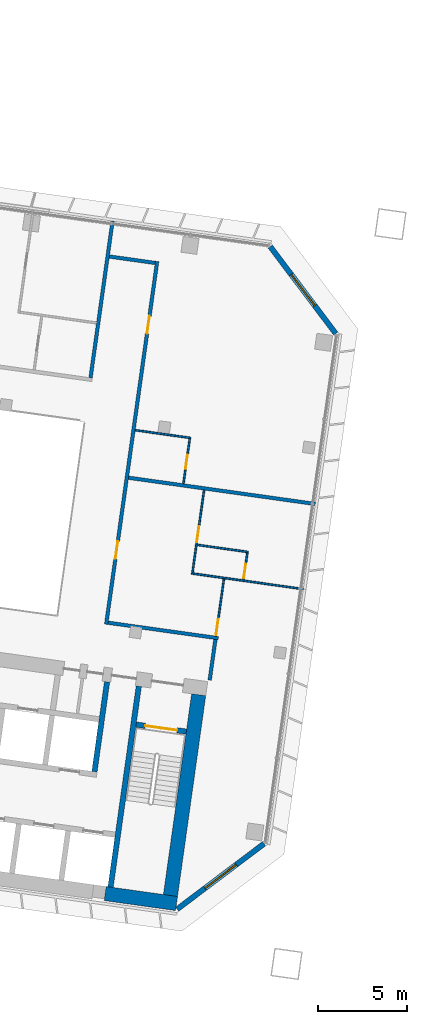
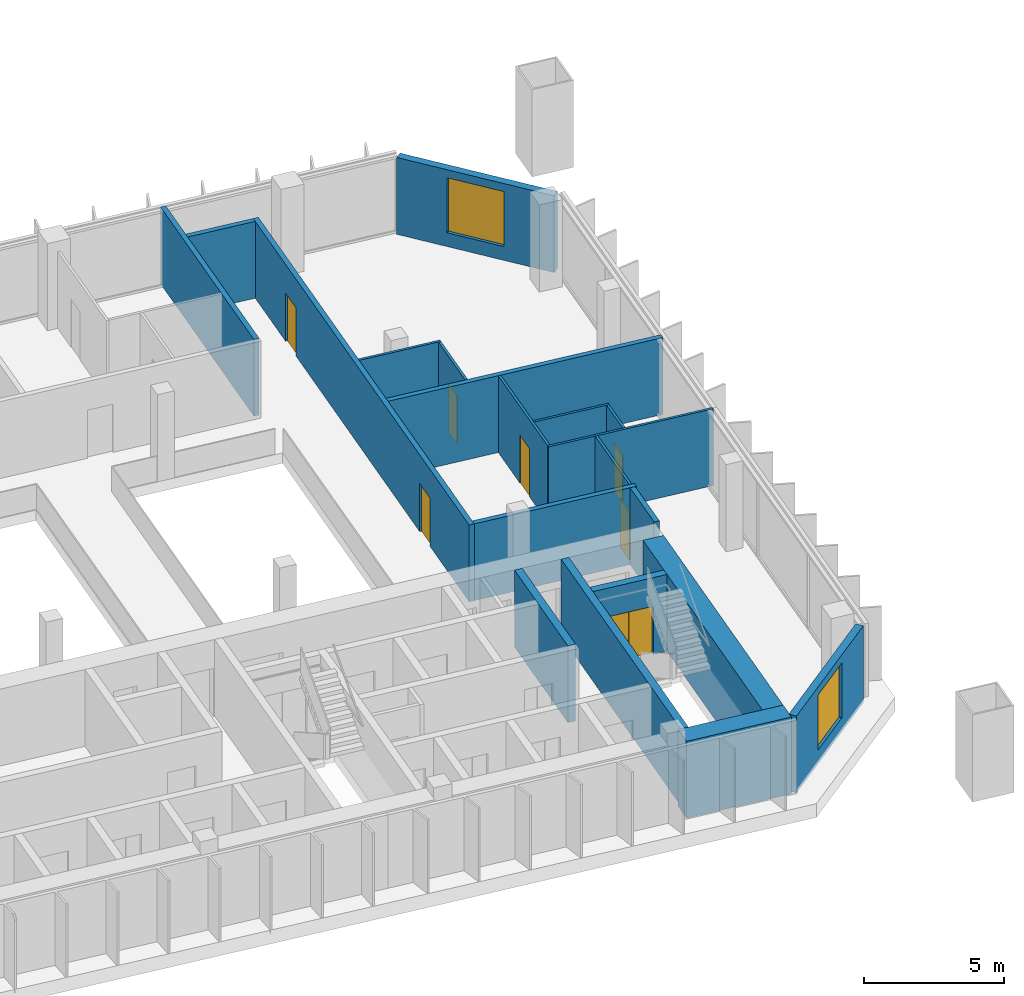
# One storey, part 17 of 25: 20 walls, 7 doors, 2 windows, 9 openings.
"""IFC4 building model written with IfcOpenShell, lengths in metres."""

from ifc_helpers import new_model, si_unit, direction, frame, frame_2d, origin, place, context, subcontext, project, spatial, rectangle, extrude, material, layer, layer_set, type_object, element, fill, save


model = new_model("IFC4")

# Units and contexts
model_context = context("Model", 3, precision=1e-05, world=origin(), true_north=direction((0.0, 1.0)))
body_context = subcontext(model_context, "Body", "Model", "MODEL_VIEW")
ifc_project = project(units=[si_unit("LENGTHUNIT", "METRE"), si_unit("AREAUNIT", "SQUARE_METRE"), si_unit("VOLUMEUNIT", "CUBIC_METRE"), si_unit("PLANEANGLEUNIT", "RADIAN"), si_unit("MASSUNIT", "GRAM", prefix="KILO")], contexts=[model_context])

# Site, building, storey
site_placement = place(None, origin())
site = spatial("IfcSite", under=ifc_project, at=site_placement, CompositionType="ELEMENT")
building_placement = place(site_placement, origin())
building = spatial("IfcBuilding", under=site, at=building_placement, Name="Mirante Cascada Hotel Towers", CompositionType="ELEMENT")
storey_placement = place(building_placement, frame((0.0, 0.0, 136.7)))
storey = spatial("IfcBuildingStorey", under=building, at=storey_placement, Name="L31", CompositionType="ELEMENT", Elevation=136.7)

# Walls
ifc_material_1 = material(Name="Fire-rated plasterboard on metal studs")
ifc_layer_1 = layer(ifc_material_1, 0.2)
ifc_layer_set_1 = layer_set([ifc_layer_1], Name="Compartment wall 200 EI 120")
wall_type_1 = type_object("IfcWallType", Name="Compartment wall 200 EI 120", PredefinedType="PARTITIONING", material=ifc_layer_set_1)
wall_1_placement = place(storey_placement, frame((-40.97, -3.8917, 0.0), z_axis=(0.0, 0.0, 1.0), x_axis=(0.9902685, -0.1391698, 0.0)))
element("IfcWall", 1, at=wall_1_placement, inside=storey, type_object=wall_type_1, Name="Wall 1-L31-03", PredefinedType="PARTITIONING", context=body_context, shape_type="SweptSolid", body=[
    extrude(rectangle(XDim=6.2499, YDim=0.2, at=frame_2d((3.125, 0.0))), origin(), (0.0, 0.0, 1.0), 3.35),
])
wall_2_placement = place(storey_placement, frame((-39.8242, 4.2615, 0.0), z_axis=(0.0, 0.0, 1.0), x_axis=(0.9902686, -0.1391691, 0.0)))
element("IfcWall", 2, at=wall_2_placement, inside=storey, type_object=wall_type_1, Name="Wall 1-L31-09", PredefinedType="PARTITIONING", context=body_context, shape_type="SweptSolid", body=[
    extrude(rectangle(XDim=10.6001, YDim=0.2, at=frame_2d((5.3, 0.0))), origin(), (0.0, 0.0, 1.0), 3.35),
])
wall_3_placement = place(storey_placement, frame((-38.329, 16.3376, 0.0), z_axis=(0.0, 0.0, 1.0), x_axis=(-0.9902647, 0.1391971, 0.0)))
element("IfcWall", 3, at=wall_3_placement, inside=storey, type_object=wall_type_1, Name="Wall 1-L31-20", PredefinedType="PARTITIONING", context=body_context, shape_type="SweptSolid", body=[
    extrude(rectangle(XDim=2.5999, YDim=0.2, at=frame_2d((1.3, 0.0))), origin(), (0.0, 0.0, 1.0), 3.35),
])
wall_4_placement = place(storey_placement, frame((-34.9433, -4.8397, 0.0), z_axis=(0.0, 0.0, 1.0), x_axis=(-0.1391749, -0.9902678, 0.0)))
element("IfcWall", 4, at=wall_4_placement, inside=storey, type_object=wall_type_1, Name="Wall 1-L31-23", PredefinedType="PARTITIONING", context=body_context, shape_type="SweptSolid", body=[
    extrude(rectangle(XDim=2.3, YDim=0.2, at=frame_2d((1.15, 0.0))), origin(), (0.0, 0.0, 1.0), 3.35),
])

# Wall, openings, doors
wall_5_placement = place(storey_placement, frame((-38.216, 16.4227, 0.0), z_axis=(0.0, 0.0, 1.0), x_axis=(-0.1391749, -0.9902678, 0.0)))
wall_5 = element("IfcWall", 5, at=wall_5_placement, inside=storey, type_object=wall_type_1, Name="Wall 1-L31-27", PredefinedType="PARTITIONING", context=body_context, shape_type="SweptSolid", body=[
    extrude(rectangle(XDim=20.6, YDim=0.2, at=frame_2d((10.3, 0.0))), origin(), (0.0, 0.0, 1.0), 3.35),
])
opening_1_placement = place(wall_5_placement, frame((15.8834, 0.0, 0.0)))
opening_1 = element("IfcOpeningElement", 6, at=opening_1_placement, cuts=wall_5, Name="Opening D1-L31-22", PredefinedType="OPENING", context=body_context, shape_type="SweptSolid", body=[
    extrude(rectangle(XDim=1.0, YDim=2.1, at=frame_2d((0.5, 1.05))), frame((0.0, 0.1, 0.0), z_axis=(0.0, -1.0, 0.0), x_axis=(1.0, 0.0, 0.0)), (0.0, 0.0, 1.0), 0.2),
])
opening_2_placement = place(wall_5_placement, frame((3.1, 0.0, 0.0)))
opening_2 = element("IfcOpeningElement", 7, at=opening_2_placement, cuts=wall_5, Name="Opening D1-L31-23", PredefinedType="OPENING", context=body_context, shape_type="SweptSolid", body=[
    extrude(rectangle(XDim=1.0, YDim=2.1, at=frame_2d((0.5, 1.05))), frame((0.0, 0.1, 0.0), z_axis=(0.0, -1.0, 0.0), x_axis=(1.0, 0.0, 0.0)), (0.0, 0.0, 1.0), 0.2),
])
ifc_material_2 = material(Name="Fire-rated timber door leaf", Category="wood")
door_type_1 = type_object("IfcDoorType", Name="Entrance door DG1 1000x2100 EI 60", OperationType="SINGLE_SWING_LEFT", PredefinedType="DOOR", material=ifc_material_2)
door_1_placement = place(opening_1_placement, origin())
door_1 = element("IfcDoor", 8, at=door_1_placement, inside=storey, type_object=door_type_1, Name="Door D1-L31-22", OperationType="SINGLE_SWING_LEFT", OverallHeight=2.1, OverallWidth=1.0, PredefinedType="DOOR", context=body_context, shape_type="SweptSolid", body=[
    extrude(rectangle(XDim=1.0, YDim=2.1, at=frame_2d((0.5, 1.05))), frame((0.0, 0.025, 0.0), z_axis=(0.0, -1.0, 0.0), x_axis=(1.0, 0.0, 0.0)), (0.0, 0.0, 1.0), 0.05),
])
fill(opening_1, door_1)
door_2_placement = place(opening_2_placement, origin())
door_2 = element("IfcDoor", 9, at=door_2_placement, inside=storey, type_object=door_type_1, Name="Door D1-L31-23", OperationType="SINGLE_SWING_LEFT", OverallHeight=2.1, OverallWidth=1.0, PredefinedType="DOOR", context=body_context, shape_type="SweptSolid", body=[
    extrude(rectangle(XDim=1.0, YDim=2.1, at=frame_2d((0.5, 1.05))), frame((0.0, 0.025, 0.0), z_axis=(0.0, -1.0, 0.0), x_axis=(1.0, 0.0, 0.0)), (0.0, 0.0, 1.0), 0.05),
])
fill(opening_2, door_2)

# Walls
wall_6_placement = place(storey_placement, frame((-41.963, 9.8805, 0.0), z_axis=(0.0, 0.0, 1.0), x_axis=(0.1391794, 0.9902672, 0.0)))
element("IfcWall", 10, at=wall_6_placement, inside=storey, type_object=wall_type_1, Name="Wall 1-L31-28", PredefinedType="PARTITIONING", context=body_context, shape_type="SweptSolid", body=[
    extrude(rectangle(XDim=8.9, YDim=0.2, at=frame_2d((4.45, 0.0))), origin(), (0.0, 0.0, 1.0), 3.35),
])
ifc_material_3 = material(Name="Plasterboard on metal studs")
ifc_layer_2 = layer(ifc_material_3, 0.1)
ifc_layer_set_2 = layer_set([ifc_layer_2], Name="Partition 100")
wall_type_2 = type_object("IfcWallType", Name="Partition 100", PredefinedType="PARTITIONING", material=ifc_layer_set_2)
wall_7_placement = place(storey_placement, frame((-30.0, -2.0, 0.0), z_axis=(0.0, 0.0, 1.0), x_axis=(-0.9902691, 0.1391656, 0.0)))
element("IfcWall", 11, at=wall_7_placement, inside=storey, type_object=wall_type_2, Name="Wall 1-L31-04", PredefinedType="PARTITIONING", context=body_context, shape_type="SweptSolid", body=[
    extrude(rectangle(XDim=6.35, YDim=0.1, at=frame_2d((3.175, 0.0))), origin(), (0.0, 0.0, 1.0), 3.35),
])
wall_8_placement = place(storey_placement, frame((-33.0901, 0.0836, 0.0), z_axis=(0.0, 0.0, 1.0), x_axis=(-0.9902683, 0.1391714, 0.0)))
element("IfcWall", 12, at=wall_8_placement, inside=storey, type_object=wall_type_2, Name="Wall 1-L31-06", PredefinedType="PARTITIONING", context=body_context, shape_type="SweptSolid", body=[
    extrude(rectangle(XDim=2.9, YDim=0.1, at=frame_2d((1.45, 0.0))), origin(), (0.0, 0.0, 1.0), 3.35),
])
wall_9_placement = place(storey_placement, frame((-39.4484, 6.9352, 0.0), z_axis=(0.0, 0.0, 1.0), x_axis=(0.9902676, -0.1391765, 0.0)))
element("IfcWall", 13, at=wall_9_placement, inside=storey, type_object=wall_type_2, Name="Wall 1-L31-11", PredefinedType="PARTITIONING", context=body_context, shape_type="SweptSolid", body=[
    extrude(rectangle(XDim=3.15, YDim=0.1, at=frame_2d((1.575, 0.0))), origin(), (0.0, 0.0, 1.0), 3.35),
])

# Wall, opening, door
wall_10_placement = place(storey_placement, frame((-33.36, -1.4773, 0.0), z_axis=(0.0, 0.0, 1.0), x_axis=(0.1391749, 0.9902678, 0.0)))
wall_10 = element("IfcWall", 14, at=wall_10_placement, inside=storey, type_object=wall_type_2, Name="Wall 1-L31-22", PredefinedType="PARTITIONING", context=body_context, shape_type="SweptSolid", body=[
    extrude(rectangle(XDim=1.5333, YDim=0.1, at=frame_2d((0.7667, 0.0))), origin(), (0.0, 0.0, 1.0), 3.35),
])
opening_3_placement = place(wall_10_placement, frame((0.1, 0.0, 0.0)))
opening_3 = element("IfcOpeningElement", 15, at=opening_3_placement, cuts=wall_10, Name="Opening D1-L31-18", PredefinedType="OPENING", context=body_context, shape_type="SweptSolid", body=[
    extrude(rectangle(XDim=0.8, YDim=2.1, at=frame_2d((0.4, 1.05))), frame((0.0, 0.05, 0.0), z_axis=(0.0, -1.0, 0.0), x_axis=(1.0, 0.0, 0.0)), (0.0, 0.0, 1.0), 0.1),
])
ifc_material_4 = material(Name="Timber door leaf", Category="wood")
door_type_2 = type_object("IfcDoorType", Name="Bathroom door DG4 800x2100", OperationType="SINGLE_SWING_LEFT", PredefinedType="DOOR", material=ifc_material_4)
door_3_placement = place(opening_3_placement, frame((0.8, 0.0, 0.0), z_axis=(0.0, 0.0, 1.0), x_axis=(-1.0, 0.0, 0.0)))
door_3 = element("IfcDoor", 16, at=door_3_placement, inside=storey, type_object=door_type_2, Name="Door D1-L31-18", OperationType="SINGLE_SWING_RIGHT", OverallHeight=2.1, OverallWidth=0.8, PredefinedType="DOOR", context=body_context, shape_type="SweptSolid", body=[
    extrude(rectangle(XDim=0.8, YDim=2.1, at=frame_2d((0.4, 1.05))), frame((0.0, 0.025, 0.0), z_axis=(0.0, -1.0, 0.0), x_axis=(1.0, 0.0, 0.0)), (0.0, 0.0, 1.0), 0.05),
])
fill(opening_3, door_3)

wall_11_placement = place(storey_placement, frame((-34.9155, -4.6416, 0.0), z_axis=(0.0, 0.0, 1.0), x_axis=(0.1391681, 0.9902688, 0.0)))
wall_11 = element("IfcWall", 17, at=wall_11_placement, inside=storey, type_object=wall_type_2, Name="Wall 1-L31-24", PredefinedType="PARTITIONING", context=body_context, shape_type="SweptSolid", body=[
    extrude(rectangle(XDim=3.25, YDim=0.1, at=frame_2d((1.625, 0.0))), origin(), (0.0, 0.0, 1.0), 3.35),
])
opening_4_placement = place(wall_11_placement, frame((0.05, 0.0, 0.0)))
opening_4 = element("IfcOpeningElement", 18, at=opening_4_placement, cuts=wall_11, Name="Opening D1-L31-19", PredefinedType="OPENING", context=body_context, shape_type="SweptSolid", body=[
    extrude(rectangle(XDim=0.9, YDim=2.1, at=frame_2d((0.45, 1.05))), frame((0.0, 0.05, 0.0), z_axis=(0.0, -1.0, 0.0), x_axis=(1.0, 0.0, 0.0)), (0.0, 0.0, 1.0), 0.1),
])
ifc_material_5 = material(Name="Timber door leaf", Category="wood")
door_type_3 = type_object("IfcDoorType", Name="Room door DG3 900x2100", OperationType="SINGLE_SWING_LEFT", PredefinedType="DOOR", material=ifc_material_5)
door_4_placement = place(opening_4_placement, frame((0.9, 0.0, 0.0), z_axis=(0.0, 0.0, 1.0), x_axis=(-1.0, 0.0, 0.0)))
door_4 = element("IfcDoor", 19, at=door_4_placement, inside=storey, type_object=door_type_3, Name="Door D1-L31-19", OperationType="SINGLE_SWING_RIGHT", OverallHeight=2.1, OverallWidth=0.9, PredefinedType="DOOR", context=body_context, shape_type="SweptSolid", body=[
    extrude(rectangle(XDim=0.9, YDim=2.1, at=frame_2d((0.45, 1.05))), frame((0.0, 0.025, 0.0), z_axis=(0.0, -1.0, 0.0), x_axis=(1.0, 0.0, 0.0)), (0.0, 0.0, 1.0), 0.05),
])
fill(opening_4, door_4)

wall_12_placement = place(storey_placement, frame((-35.5799, 3.564, 0.0), z_axis=(0.0, 0.0, 1.0), x_axis=(-0.139176, -0.9902677, 0.0)))
wall_12 = element("IfcWall", 20, at=wall_12_placement, inside=storey, type_object=wall_type_2, Name="Wall 1-L31-25", PredefinedType="PARTITIONING", context=body_context, shape_type="SweptSolid", body=[
    extrude(rectangle(XDim=4.6833, YDim=0.1, at=frame_2d((2.3416, 0.0))), origin(), (0.0, 0.0, 1.0), 3.35),
])
opening_5_placement = place(wall_12_placement, frame((2.05, 0.0, 0.0)))
opening_5 = element("IfcOpeningElement", 21, at=opening_5_placement, cuts=wall_12, Name="Opening D1-L31-20", PredefinedType="OPENING", context=body_context, shape_type="SweptSolid", body=[
    extrude(rectangle(XDim=0.9, YDim=2.1, at=frame_2d((0.45, 1.05))), frame((0.0, 0.05, 0.0), z_axis=(0.0, -1.0, 0.0), x_axis=(1.0, 0.0, 0.0)), (0.0, 0.0, 1.0), 0.1),
])
door_5_placement = place(opening_5_placement, frame((0.9, 0.0, 0.0), z_axis=(0.0, 0.0, 1.0), x_axis=(-1.0, 0.0, 0.0)))
door_5 = element("IfcDoor", 22, at=door_5_placement, inside=storey, type_object=door_type_3, Name="Door D1-L31-20", OperationType="SINGLE_SWING_RIGHT", OverallHeight=2.1, OverallWidth=0.9, PredefinedType="DOOR", context=body_context, shape_type="SweptSolid", body=[
    extrude(rectangle(XDim=0.9, YDim=2.1, at=frame_2d((0.45, 1.05))), frame((0.0, 0.025, 0.0), z_axis=(0.0, -1.0, 0.0), x_axis=(1.0, 0.0, 0.0)), (0.0, 0.0, 1.0), 0.05),
])
fill(opening_5, door_5)

wall_13_placement = place(storey_placement, frame((-36.7404, 3.9291, 0.0), z_axis=(0.0, 0.0, 1.0), x_axis=(0.1391755, 0.9902677, 0.0)))
wall_13 = element("IfcWall", 23, at=wall_13_placement, inside=storey, type_object=wall_type_2, Name="Wall 1-L31-26", PredefinedType="PARTITIONING", context=body_context, shape_type="SweptSolid", body=[
    extrude(rectangle(XDim=2.55, YDim=0.1, at=frame_2d((1.275, 0.0))), origin(), (0.0, 0.0, 1.0), 3.35),
])
opening_6_placement = place(wall_13_placement, frame((0.85, 0.0, 0.0)))
opening_6 = element("IfcOpeningElement", 24, at=opening_6_placement, cuts=wall_13, Name="Opening D1-L31-21", PredefinedType="OPENING", context=body_context, shape_type="SweptSolid", body=[
    extrude(rectangle(XDim=0.8, YDim=2.1, at=frame_2d((0.4, 1.05))), frame((0.0, 0.05, 0.0), z_axis=(0.0, -1.0, 0.0), x_axis=(1.0, 0.0, 0.0)), (0.0, 0.0, 1.0), 0.1),
])
door_6_placement = place(opening_6_placement, frame((0.8, 0.0, 0.0), z_axis=(0.0, 0.0, 1.0), x_axis=(-1.0, 0.0, 0.0)))
door_6 = element("IfcDoor", 25, at=door_6_placement, inside=storey, type_object=door_type_2, Name="Door D1-L31-21", OperationType="SINGLE_SWING_RIGHT", OverallHeight=2.1, OverallWidth=0.8, PredefinedType="DOOR", context=body_context, shape_type="SweptSolid", body=[
    extrude(rectangle(XDim=0.8, YDim=2.1, at=frame_2d((0.4, 1.05))), frame((0.0, 0.025, 0.0), z_axis=(0.0, -1.0, 0.0), x_axis=(1.0, 0.0, 0.0)), (0.0, 0.0, 1.0), 0.05),
])
fill(opening_6, door_6)

# Wall, opening, window
ifc_material_6 = material(Name="Precast concrete C40/50", Category="concrete")
ifc_layer_3 = layer(ifc_material_6, 0.3)
ifc_layer_set_3 = layer_set([ifc_layer_3], Name="Precast concrete C40/50 cladding wall 300")
wall_type_3 = type_object("IfcWallType", Name="Precast concrete C40/50 cladding wall 300", PredefinedType="STANDARD", material=ifc_layer_set_3)
wall_14_placement = place(storey_placement, frame((-31.857, 17.252, 0.0), z_axis=(0.0, 0.0, 1.0), x_axis=(0.6018141, -0.7986362, 0.0)))
wall_14 = element("IfcWall", 26, at=wall_14_placement, inside=storey, type_object=wall_type_3, Name="Corner cladding wall T1 L31 front inner", PredefinedType="STANDARD", context=body_context, shape_type="SweptSolid", body=[
    extrude(rectangle(XDim=6.1157, YDim=0.3, at=frame_2d((3.0578, 0.0))), origin(), (0.0, 0.0, 1.0), 3.35),
])
opening_7_placement = place(wall_14_placement, frame((1.9578, 0.0, 0.6)))
opening_7 = element("IfcOpeningElement", 27, at=opening_7_placement, cuts=wall_14, Name="Opening W1-31-05", PredefinedType="OPENING", context=body_context, shape_type="SweptSolid", body=[
    extrude(rectangle(XDim=2.2, YDim=2.4, at=frame_2d((1.1, 1.2))), frame((0.0, 0.15, 0.0), z_axis=(0.0, -1.0, 0.0), x_axis=(1.0, 0.0, 0.0)), (0.0, 0.0, 1.0), 0.3),
])
ifc_material_7 = material(Name="Aluminium frame with clear double glazing", Category="aluminium")
window_type = type_object("IfcWindowType", Name="Corner suite window 2200x2400", PartitioningType="DOUBLE_PANEL_VERTICAL", PredefinedType="WINDOW", material=ifc_material_7)
window_1_placement = place(opening_7_placement, origin())
window_1 = element("IfcWindow", 28, at=window_1_placement, inside=storey, type_object=window_type, Name="Window W1-31-05", OverallHeight=2.4, OverallWidth=2.2, PartitioningType="SINGLE_PANEL", PredefinedType="WINDOW", context=body_context, shape_type="SweptSolid", body=[
    extrude(rectangle(XDim=2.2, YDim=2.4, at=frame_2d((1.1, 1.2))), frame((0.0, 0.03, 0.0), z_axis=(0.0, -1.0, 0.0), x_axis=(1.0, 0.0, 0.0)), (0.0, 0.0, 1.0), 0.06),
])
fill(opening_7, window_1)

wall_15_placement = place(storey_placement, frame((-32.2074, -16.3138, 0.0), z_axis=(0.0, 0.0, 1.0), x_axis=(-0.7986362, -0.6018141, 0.0)))
wall_15 = element("IfcWall", 29, at=wall_15_placement, inside=storey, type_object=wall_type_3, Name="Corner cladding wall T1 L31 inner rear", PredefinedType="STANDARD", context=body_context, shape_type="SweptSolid", body=[
    extrude(rectangle(XDim=6.1157, YDim=0.3, at=frame_2d((3.0578, 0.0))), origin(), (0.0, 0.0, 1.0), 3.35),
])
opening_8_placement = place(wall_15_placement, frame((1.9578, 0.0, 0.6)))
opening_8 = element("IfcOpeningElement", 30, at=opening_8_placement, cuts=wall_15, Name="Opening W1-31-06", PredefinedType="OPENING", context=body_context, shape_type="SweptSolid", body=[
    extrude(rectangle(XDim=2.2, YDim=2.4, at=frame_2d((1.1, 1.2))), frame((0.0, 0.15, 0.0), z_axis=(0.0, -1.0, 0.0), x_axis=(1.0, 0.0, 0.0)), (0.0, 0.0, 1.0), 0.3),
])
window_2_placement = place(opening_8_placement, origin())
window_2 = element("IfcWindow", 31, at=window_2_placement, inside=storey, type_object=window_type, Name="Window W1-31-06", OverallHeight=2.4, OverallWidth=2.2, PartitioningType="SINGLE_PANEL", PredefinedType="WINDOW", context=body_context, shape_type="SweptSolid", body=[
    extrude(rectangle(XDim=2.2, YDim=2.4, at=frame_2d((1.1, 1.2))), frame((0.0, 0.03, 0.0), z_axis=(0.0, -1.0, 0.0), x_axis=(1.0, 0.0, 0.0)), (0.0, 0.0, 1.0), 0.06),
])
fill(opening_8, window_2)

# Wall
ifc_material_8 = material(Name="Concrete C50/60", Category="concrete")
ifc_layer_4 = layer(ifc_material_8, 0.3)
ifc_layer_set_4 = layer_set([ifc_layer_4], Name="RC core wall 300 C50/60")
wall_type_4 = type_object("IfcWallType", Name="RC core wall 300 C50/60", PredefinedType="SHEAR", material=ifc_layer_set_4)
wall_16_placement = place(storey_placement, frame((-40.8373, -18.7548, 0.0), z_axis=(0.0, 0.0, 1.0), x_axis=(0.1391749, 0.9902678, 0.0)))
element("IfcWall", 32, at=wall_16_placement, inside=storey, type_object=wall_type_4, Name="Core wall T1:L31:5", PredefinedType="SHEAR", context=body_context, shape_type="SweptSolid", body=[
    extrude(rectangle(XDim=11.4, YDim=0.3, at=frame_2d((5.7, 0.0))), origin(), (0.0, 0.0, 1.0), 3.35),
])

# Wall, opening, door
wall_17_placement = place(storey_placement, frame((-36.5791, -10.0123, 0.0), z_axis=(0.0, 0.0, 1.0), x_axis=(-0.9902704, 0.1391564, 0.0)))
wall_17 = element("IfcWall", 33, at=wall_17_placement, inside=storey, type_object=wall_type_4, Name="Core wall T1:L31:9", PredefinedType="SHEAR", context=body_context, shape_type="SweptSolid", body=[
    extrude(rectangle(XDim=2.85, YDim=0.3, at=frame_2d((1.425, 0.0))), origin(), (0.0, 0.0, 1.0), 3.35),
])
opening_9_placement = place(wall_17_placement, frame((0.525, 0.0, 0.0)))
opening_9 = element("IfcOpeningElement", 34, at=opening_9_placement, cuts=wall_17, Name="Opening D1-31-C13", PredefinedType="OPENING", context=body_context, shape_type="SweptSolid", body=[
    extrude(rectangle(XDim=1.8, YDim=2.1, at=frame_2d((0.9, 1.05))), frame((0.0, 0.15, 0.0), z_axis=(0.0, -1.0, 0.0), x_axis=(1.0, 0.0, 0.0)), (0.0, 0.0, 1.0), 0.3),
])
ifc_material_9 = material(Name="Hollow metal fire door leaf")
door_type_4 = type_object("IfcDoorType", Name="Double fire door 1800x2100 FD60", OperationType="DOUBLE_DOOR_SINGLE_SWING", PredefinedType="DOOR", material=ifc_material_9)
door_7_placement = place(opening_9_placement, origin())
door_7 = element("IfcDoor", 35, at=door_7_placement, inside=storey, type_object=door_type_4, Name="Stair door T1 L31 13", OperationType="DOUBLE_DOOR_SINGLE_SWING", OverallHeight=2.1, OverallWidth=1.8, PredefinedType="DOOR", context=body_context, shape_type="SweptSolid", body=[
    extrude(rectangle(XDim=0.895, YDim=2.1, at=frame_2d((0.4475, 1.05))), frame((0.0, 0.025, 0.0), z_axis=(0.0, -1.0, 0.0), x_axis=(1.0, 0.0, 0.0)), (0.0, 0.0, 1.0), 0.05),
    extrude(rectangle(XDim=0.895, YDim=2.1, at=frame_2d((1.3525, 1.05))), frame((0.0, 0.025, 0.0), z_axis=(0.0, -1.0, 0.0), x_axis=(1.0, 0.0, 0.0)), (0.0, 0.0, 1.0), 0.05),
])
fill(opening_9, door_7)

# Walls
wall_18_placement = place(storey_placement, frame((-41.743, -12.2656, 0.0), z_axis=(0.0, 0.0, 1.0), x_axis=(0.1391755, 0.9902677, 0.0)))
element("IfcWall", 36, at=wall_18_placement, inside=storey, type_object=wall_type_4, Name="Core wall T1:L31:20", PredefinedType="SHEAR", context=body_context, shape_type="SweptSolid", body=[
    extrude(rectangle(XDim=5.1, YDim=0.3, at=frame_2d((2.55, 0.0))), origin(), (0.0, 0.0, 1.0), 3.35),
])
ifc_material_10 = material(Name="Concrete C50/60", Category="concrete")
ifc_layer_5 = layer(ifc_material_10, 0.8)
ifc_layer_set_5 = layer_set([ifc_layer_5], Name="RC core wall 800 C50/60")
wall_type_5 = type_object("IfcWallType", Name="RC core wall 800 C50/60", PredefinedType="SHEAR", material=ifc_layer_set_5)
wall_19_placement = place(storey_placement, frame((-37.1299, -19.6798, 0.0), z_axis=(0.0, 0.0, 1.0), x_axis=(-0.9902665, 0.1391845, 0.0)))
element("IfcWall", 37, at=wall_19_placement, inside=storey, type_object=wall_type_5, Name="Core wall T1:L31:1.1", PredefinedType="SHEAR", context=body_context, shape_type="SweptSolid", body=[
    extrude(rectangle(XDim=4.05, YDim=0.8, at=frame_2d((2.025, 0.0))), origin(), (0.0, 0.0, 1.0), 3.35),
])
wall_20_placement = place(storey_placement, frame((-37.4704, -19.228, 0.0), z_axis=(0.0, 0.0, 1.0), x_axis=(0.1391749, 0.9902678, 0.0)))
element("IfcWall", 38, at=wall_20_placement, inside=storey, type_object=wall_type_5, Name="Core wall T1:L31:3", PredefinedType="SHEAR", context=body_context, shape_type="SweptSolid", body=[
    extrude(rectangle(XDim=11.4, YDim=0.8, at=frame_2d((5.7, 0.0))), origin(), (0.0, 0.0, 1.0), 3.35),
])

save(model, "model.ifc")
